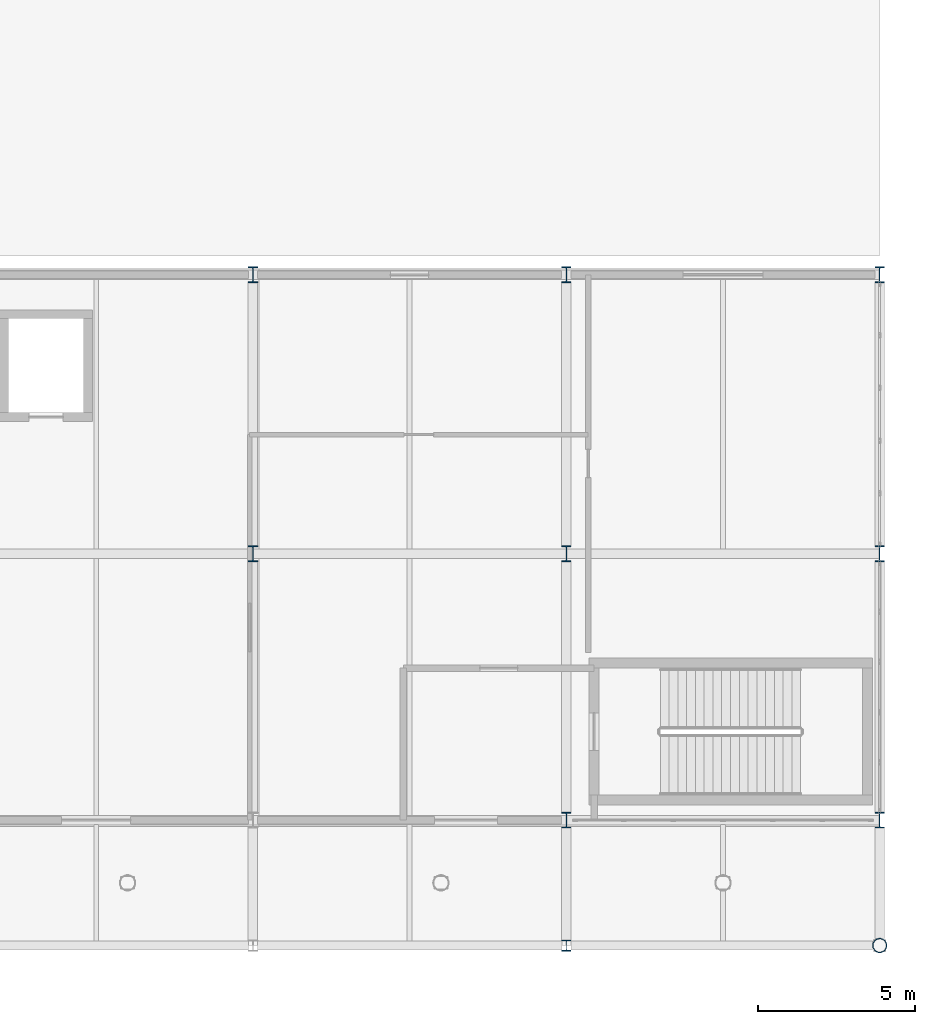
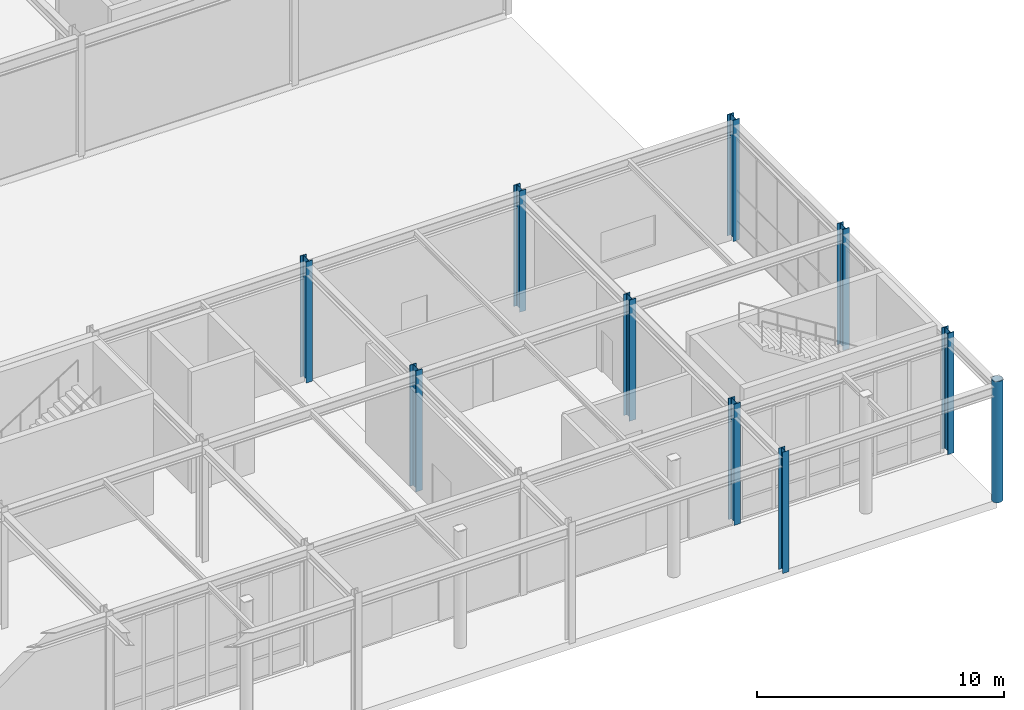
# One storey, part 15 of 146: 10 columns.
"""IFC4 building model written with IfcOpenShell, lengths in metres."""

from ifc_helpers import new_model, si_unit, direction, frame, origin, origin_2d, place, context, subcontext, project, spatial, hollow_circle, i_section, extrude, material, material_profile, profile_set, type_object, element, save


model = new_model("IFC4")

# Units and contexts
model_context = context("Model", 3, precision=1e-05, world=origin(), true_north=direction((0.0, 1.0)))
body_context = subcontext(model_context, "Body", "Model", "MODEL_VIEW")
ifc_project = project(units=[si_unit("LENGTHUNIT", "METRE"), si_unit("AREAUNIT", "SQUARE_METRE"), si_unit("VOLUMEUNIT", "CUBIC_METRE"), si_unit("PLANEANGLEUNIT", "RADIAN"), si_unit("MASSUNIT", "GRAM", prefix="KILO")], contexts=[model_context])

# Site, building, storey
site_placement = place(None, origin())
site = spatial("IfcSite", under=ifc_project, at=site_placement, CompositionType="ELEMENT")
building_placement = place(site_placement, origin())
building = spatial("IfcBuilding", under=site, at=building_placement, Name="Kaldris Quays Convention Centre", CompositionType="ELEMENT")
storey_placement = place(building_placement, origin())
storey = spatial("IfcBuildingStorey", under=building, at=storey_placement, Name="L00", CompositionType="ELEMENT", Elevation=0.0)

# Columns
ifc_material_1 = material(Name="Steel S355J2", Category="steel")
ifc_material_profile_1 = material_profile(ifc_material_1, i_section(OverallWidth=0.300048828125, OverallDepth=0.5, WebThickness=0.014404296875, FlangeThickness=0.028076171875, FilletRadius=0.027099609375, at=origin_2d()), Name="HEB 500")
ifc_profile_set_1 = profile_set([ifc_material_profile_1], Name="Steel S355J2")
column_type_1 = type_object("IfcColumnType", Name="STRUCTURAL COLUMN CL07", PredefinedType="COLUMN", material=ifc_profile_set_1)
for number, where, z_axis, x_axis, name in (
    (1, (184.0, 28.5, 0.0), (0.0, 0.0, 1.0), (1.0, 0.0, 0.0), "L00 V5 Column CL07 (184.00, 28.50)"),
    (2, (184.0, 37.39990234375, 0.0), (0.0, 0.0, 1.0), (1.0, 0.0, 0.0), "L00 V5 Column CL07 (184.00, 37.40)"),
    (3, (194.0, 20.0, 0.0), (0.0, 0.0, 1.0), (1.0, 0.0, 0.0), "L00 V5 Column CL07 (194.00, 20.00)"),
    (4, (194.0, 28.5, 0.0), (0.0, 0.0, 1.0), (1.0, 0.0, 0.0), "L00 V5 Column CL07 (194.00, 28.50)"),
    (5, (194.0, 37.39990234375, 0.0), (0.0, 0.0, 1.0), (1.0, 0.0, 0.0), "L00 V5 Column CL07 (194.00, 37.40)"),
    (6, (204.0, 20.0, 0.0), (0.0, 0.0, 1.0), (1.0, 0.0, 0.0), "L00 V5 Column CL07 (204.00, 20.00)"),
    (7, (204.0, 28.5, 0.0), (0.0, 0.0, 1.0), (1.0, 0.0, 0.0), "L00 V5 Column CL07 (204.00, 28.50)"),
    (8, (204.0, 37.39990234375, 0.0), (0.0, 0.0, 1.0), (1.0, 0.0, 0.0), "L00 V5 Column CL07 (204.00, 37.40)"),
):
    element("IfcColumn", number, at=place(storey_placement, frame(where, z_axis=z_axis, x_axis=x_axis)), inside=storey, type_object=column_type_1, Name=name, PredefinedType="COLUMN", context=body_context, shape_type="SweptSolid", body=[
        extrude(i_section(OverallWidth=0.300048828125, OverallDepth=0.5, WebThickness=0.014404296875, FlangeThickness=0.028076171875, FilletRadius=0.027099609375, at=origin_2d()), origin(), (0.0, 0.0, 1.0), 6.0),
    ])
ifc_material_2 = material(Name="Steel S355J2H", Category="steel")
ifc_material_profile_2 = material_profile(ifc_material_2, hollow_circle(Radius=0.228515625, WallThickness=0.01611328125, at=origin_2d()), Name="CHS 457x16")
ifc_profile_set_2 = profile_set([ifc_material_profile_2], Name="Steel S355J2H")
column_type_2 = type_object("IfcColumnType", Name="STRUCTURAL COLUMN CL21", PredefinedType="COLUMN", material=ifc_profile_set_2)
column_1_placement = place(storey_placement, frame((204.0, 16.0, 0.0), z_axis=(0.0, 0.0, 1.0), x_axis=(1.0, 0.0, 0.0)))
element("IfcColumn", 9, at=column_1_placement, inside=storey, type_object=column_type_2, Name="L00 V5 Column CL21 (204.00, 16.00)", PredefinedType="COLUMN", context=body_context, shape_type="SweptSolid", body=[
    extrude(hollow_circle(Radius=0.228515625, WallThickness=0.01611328125, at=origin_2d()), origin(), (0.0, 0.0, 1.0), 6.0),
])
ifc_material_profile_3 = material_profile(ifc_material_1, i_section(OverallWidth=0.300048828125, OverallDepth=0.35009765625, WebThickness=0.010009765625, FlangeThickness=0.017578125, FilletRadius=0.027099609375, at=origin_2d()), Name="HEA 360")
ifc_profile_set_3 = profile_set([ifc_material_profile_3], Name="Steel S355J2")
column_type_3 = type_object("IfcColumnType", Name="STRUCTURAL COLUMN PL01C", PredefinedType="PILASTER", material=ifc_profile_set_3)
column_2_placement = place(storey_placement, frame((194.0, 16.0, 0.0), z_axis=(0.0, 0.0, 1.0), x_axis=(1.0, 0.0, 0.0)))
element("IfcColumn", 10, at=column_2_placement, inside=storey, type_object=column_type_3, Name="L00 V5 Column PL01C (194.00, 16.00)", PredefinedType="PILASTER", context=body_context, shape_type="SweptSolid", body=[
    extrude(i_section(OverallWidth=0.300048828125, OverallDepth=0.35009765625, WebThickness=0.010009765625, FlangeThickness=0.017578125, FilletRadius=0.027099609375, at=origin_2d()), origin(), (0.0, 0.0, 1.0), 6.0),
])

save(model, "model.ifc")
